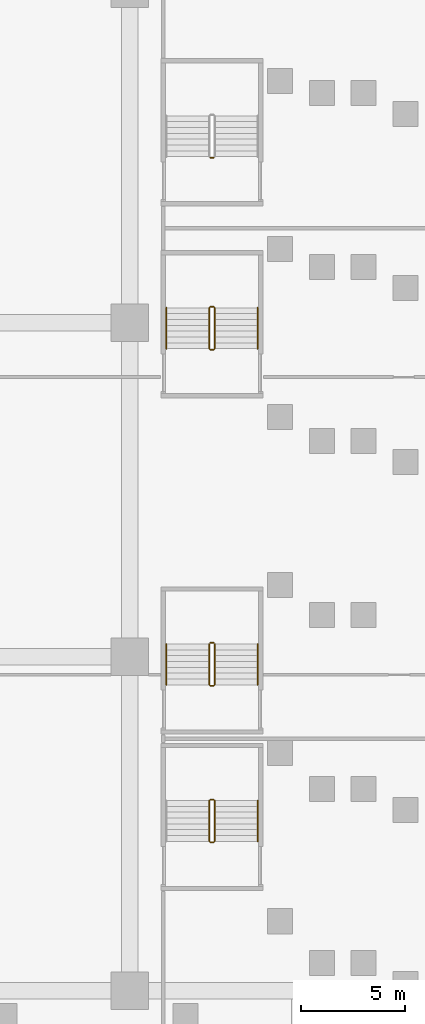
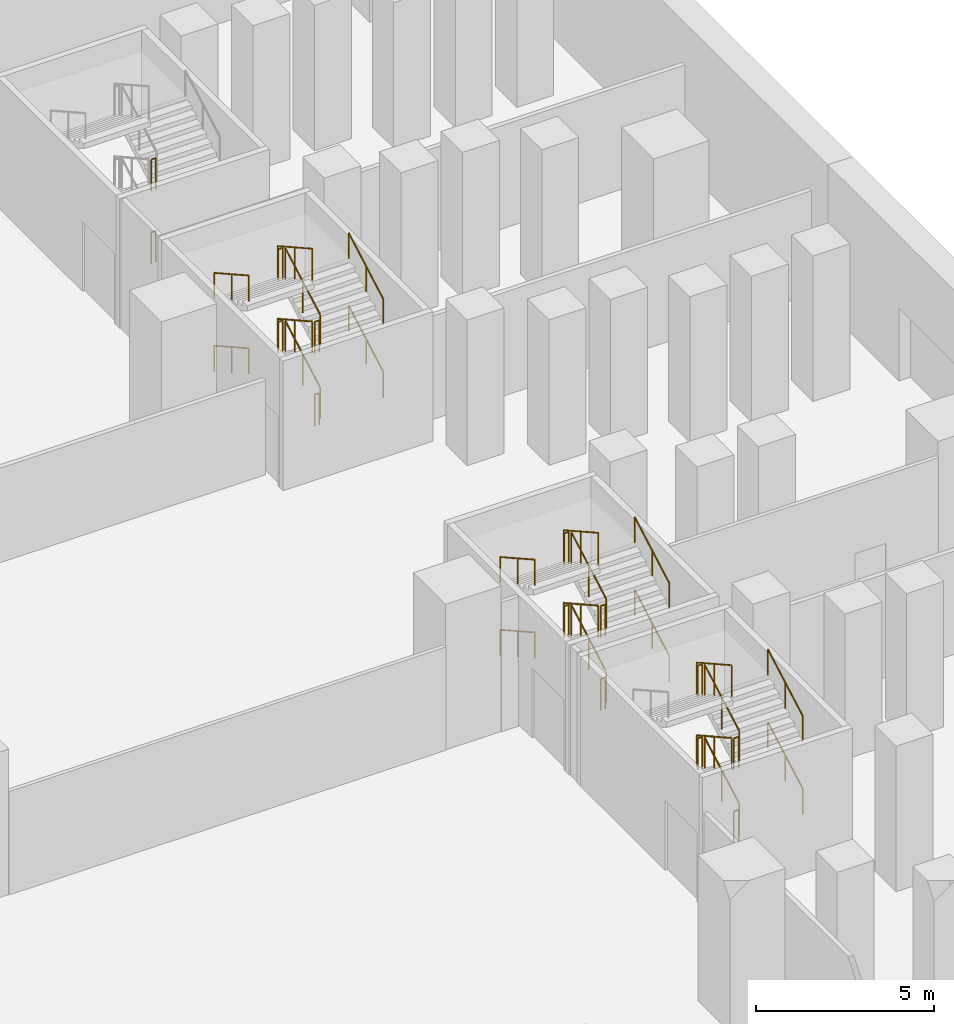
# One storey, part 21 of 24: 36 railings.
"""IFC4 building model written with IfcOpenShell, lengths in metres."""

from ifc_helpers import new_model, si_unit, direction, frame, origin, origin_2d, place, context, subcontext, project, spatial, circle, extrude, material, type_object, element, save


model = new_model("IFC4")

# Units and contexts
model_context = context("Model", 3, precision=1e-05, world=origin(), true_north=direction((0.0, 1.0)))
body_context = subcontext(model_context, "Body", "Model", "MODEL_VIEW")
ifc_project = project(units=[si_unit("LENGTHUNIT", "METRE"), si_unit("AREAUNIT", "SQUARE_METRE"), si_unit("VOLUMEUNIT", "CUBIC_METRE"), si_unit("PLANEANGLEUNIT", "RADIAN"), si_unit("MASSUNIT", "GRAM", prefix="KILO")], contexts=[model_context])

# Site, building, storey
site_placement = place(None, origin())
site = spatial("IfcSite", under=ifc_project, at=site_placement, CompositionType="ELEMENT")
building_placement = place(site_placement, origin())
building = spatial("IfcBuilding", under=site, at=building_placement, Name="Calabash Gate Tower", CompositionType="ELEMENT")
storey_placement = place(building_placement, frame((0.0, 0.0, -5.0)))
storey = spatial("IfcBuildingStorey", under=building, at=storey_placement, Name="B1", CompositionType="ELEMENT", Elevation=-5.0)

# Railings
ifc_material_1 = material(Name="Black powder-coated steel balusters", Category="steel")
railing_type_1 = type_object("IfcRailingType", Name="Stair guard RL1100", PredefinedType="GUARDRAIL", material=ifc_material_1)
railing_1_placement = place(storey_placement, frame((36.06005859375, -32.840087890625, 0.15625)))
element("IfcRailing", 1, at=railing_1_placement, inside=storey, type_object=railing_type_1, Name="B1 PS6 stair guard 1", PredefinedType="GUARDRAIL", context=body_context, shape_type="SweptSolid", body=[
    extrude(circle(Radius=0.02392578125, at=origin_2d()), frame((0.0, 0.0, 1.076171875), z_axis=(0.0, 0.87250601595, 0.488603368932), x_axis=(-1.0, 0.0, 0.0)), (0.0, 0.0, 1.0), 2.238525390625),
    extrude(circle(Radius=0.02099609375, at=origin_2d()), origin(), (0.0, 0.0, 1.0), 1.052001953125),
    extrude(circle(Radius=0.02099609375, at=origin_2d()), frame((0.0, 0.9765625, 0.546875)), (0.0, 0.0, 1.0), 1.052001953125),
    extrude(circle(Radius=0.02099609375, at=origin_2d()), frame((0.0, 1.953125, 1.09375)), (0.0, 0.0, 1.0), 1.052001953125),
])
railing_2_placement = place(storey_placement, frame((36.010009765625, -30.8369140625, 1.25)))
element("IfcRailing", 2, at=railing_2_placement, inside=storey, type_object=railing_type_1, Name="B1 PS6 stair guard 2", PredefinedType="GUARDRAIL", context=body_context, shape_type="SweptSolid", body=[
    extrude(circle(Radius=0.02392578125, at=origin_2d()), frame((0.0, 0.0, 1.076171875), z_axis=(-1.0, 0.0, 0.0), x_axis=(0.0, -1.0, 0.0)), (0.0, 0.0, 1.0), 0.14990234375),
    extrude(circle(Radius=0.02099609375, at=origin_2d()), origin(), (0.0, 0.0, 1.0), 1.052001953125),
    extrude(circle(Radius=0.02099609375, at=origin_2d()), frame((-0.14990234375, 0.0, 0.0)), (0.0, 0.0, 1.0), 1.052001953125),
])
railing_3_placement = place(storey_placement, frame((35.81005859375, -30.886962890625, 1.40625)))
element("IfcRailing", 3, at=railing_3_placement, inside=storey, type_object=railing_type_1, Name="B1 PS6 stair guard 3", PredefinedType="GUARDRAIL", context=body_context, shape_type="SweptSolid", body=[
    extrude(circle(Radius=0.02392578125, at=origin_2d()), frame((0.0, 0.0, 1.076171875), z_axis=(0.0, -0.87250601595, 0.488603368932), x_axis=(1.0, 0.0, 0.0)), (0.0, 0.0, 1.0), 2.238525390625),
    extrude(circle(Radius=0.02099609375, at=origin_2d()), origin(), (0.0, 0.0, 1.0), 1.052001953125),
    extrude(circle(Radius=0.02099609375, at=origin_2d()), frame((0.0, -0.9765625, 0.546875)), (0.0, 0.0, 1.0), 1.052001953125),
    extrude(circle(Radius=0.02099609375, at=origin_2d()), frame((0.0, -1.953125, 1.09375)), (0.0, 0.0, 1.0), 1.052001953125),
])
railing_4_placement = place(storey_placement, frame((36.010009765625, -32.889892578125, 2.5)))
element("IfcRailing", 4, at=railing_4_placement, inside=storey, type_object=railing_type_1, Name="B1 PS6 stair guard 4", PredefinedType="GUARDRAIL", context=body_context, shape_type="SweptSolid", body=[
    extrude(circle(Radius=0.02392578125, at=origin_2d()), frame((0.0, 0.0, 1.076171875), z_axis=(-1.0, 0.0, 0.0), x_axis=(0.0, -1.0, 0.0)), (0.0, 0.0, 1.0), 0.14990234375),
    extrude(circle(Radius=0.02099609375, at=origin_2d()), origin(), (0.0, 0.0, 1.0), 1.052001953125),
    extrude(circle(Radius=0.02099609375, at=origin_2d()), frame((-0.14990234375, 0.0, 0.0)), (0.0, 0.0, 1.0), 1.052001953125),
])
railing_5_placement = place(storey_placement, frame((36.06005859375, -32.840087890625, 2.65625)))
element("IfcRailing", 5, at=railing_5_placement, inside=storey, type_object=railing_type_1, Name="B1 PS6 stair guard 5", PredefinedType="GUARDRAIL", context=body_context, shape_type="SweptSolid", body=[
    extrude(circle(Radius=0.02392578125, at=origin_2d()), frame((0.0, 0.0, 1.076171875), z_axis=(0.0, 0.87250601595, 0.488603368932), x_axis=(-1.0, 0.0, 0.0)), (0.0, 0.0, 1.0), 2.238525390625),
    extrude(circle(Radius=0.02099609375, at=origin_2d()), origin(), (0.0, 0.0, 1.0), 1.052001953125),
    extrude(circle(Radius=0.02099609375, at=origin_2d()), frame((0.0, 0.9765625, 0.546875)), (0.0, 0.0, 1.0), 1.052001953125),
    extrude(circle(Radius=0.02099609375, at=origin_2d()), frame((0.0, 1.953125, 1.09375)), (0.0, 0.0, 1.0), 1.052001953125),
])
railing_6_placement = place(storey_placement, frame((36.010009765625, -30.8369140625, 3.75)))
element("IfcRailing", 6, at=railing_6_placement, inside=storey, type_object=railing_type_1, Name="B1 PS6 stair guard 6", PredefinedType="GUARDRAIL", context=body_context, shape_type="SweptSolid", body=[
    extrude(circle(Radius=0.02392578125, at=origin_2d()), frame((0.0, 0.0, 1.076171875), z_axis=(-1.0, 0.0, 0.0), x_axis=(0.0, -1.0, 0.0)), (0.0, 0.0, 1.0), 0.14990234375),
    extrude(circle(Radius=0.02099609375, at=origin_2d()), origin(), (0.0, 0.0, 1.0), 1.052001953125),
    extrude(circle(Radius=0.02099609375, at=origin_2d()), frame((-0.14990234375, 0.0, 0.0)), (0.0, 0.0, 1.0), 1.052001953125),
])
railing_7_placement = place(storey_placement, frame((35.81005859375, -30.886962890625, 3.90625)))
element("IfcRailing", 7, at=railing_7_placement, inside=storey, type_object=railing_type_1, Name="B1 PS6 stair guard 7", PredefinedType="GUARDRAIL", context=body_context, shape_type="SweptSolid", body=[
    extrude(circle(Radius=0.02392578125, at=origin_2d()), frame((0.0, 0.0, 1.076171875), z_axis=(0.0, -0.87250601595, 0.488603368932), x_axis=(1.0, 0.0, 0.0)), (0.0, 0.0, 1.0), 2.238525390625),
    extrude(circle(Radius=0.02099609375, at=origin_2d()), origin(), (0.0, 0.0, 1.0), 1.052001953125),
    extrude(circle(Radius=0.02099609375, at=origin_2d()), frame((0.0, -0.9765625, 0.546875)), (0.0, 0.0, 1.0), 1.052001953125),
    extrude(circle(Radius=0.02099609375, at=origin_2d()), frame((0.0, -1.953125, 1.09375)), (0.0, 0.0, 1.0), 1.052001953125),
])
railing_8_placement = place(storey_placement, frame((36.010009765625, -32.889892578125, 0.0)))
element("IfcRailing", 8, at=railing_8_placement, inside=storey, type_object=railing_type_1, Name="B1 PS6 stair guard 8", PredefinedType="GUARDRAIL", context=body_context, shape_type="SweptSolid", body=[
    extrude(circle(Radius=0.02392578125, at=origin_2d()), frame((0.0, 0.0, 1.076171875), z_axis=(-1.0, 0.0, 0.0), x_axis=(0.0, -1.0, 0.0)), (0.0, 0.0, 1.0), 0.14990234375),
    extrude(circle(Radius=0.02099609375, at=origin_2d()), origin(), (0.0, 0.0, 1.0), 1.052001953125),
    extrude(circle(Radius=0.02099609375, at=origin_2d()), frame((-0.14990234375, 0.0, 0.0)), (0.0, 0.0, 1.0), 1.052001953125),
])
railing_9_placement = place(storey_placement, frame((36.06005859375, -25.340087890625, 0.15625)))
element("IfcRailing", 9, at=railing_9_placement, inside=storey, type_object=railing_type_1, Name="B1 PS7 stair guard 1", PredefinedType="GUARDRAIL", context=body_context, shape_type="SweptSolid", body=[
    extrude(circle(Radius=0.02392578125, at=origin_2d()), frame((0.0, 0.0, 1.076171875), z_axis=(0.0, 0.87250601595, 0.488603368932), x_axis=(-1.0, 0.0, 0.0)), (0.0, 0.0, 1.0), 2.238525390625),
    extrude(circle(Radius=0.02099609375, at=origin_2d()), origin(), (0.0, 0.0, 1.0), 1.052001953125),
    extrude(circle(Radius=0.02099609375, at=origin_2d()), frame((0.0, 0.9765625, 0.546875)), (0.0, 0.0, 1.0), 1.052001953125),
    extrude(circle(Radius=0.02099609375, at=origin_2d()), frame((0.0, 1.953125, 1.09375)), (0.0, 0.0, 1.0), 1.052001953125),
])
railing_10_placement = place(storey_placement, frame((36.010009765625, -23.3369140625, 1.25)))
element("IfcRailing", 10, at=railing_10_placement, inside=storey, type_object=railing_type_1, Name="B1 PS7 stair guard 2", PredefinedType="GUARDRAIL", context=body_context, shape_type="SweptSolid", body=[
    extrude(circle(Radius=0.02392578125, at=origin_2d()), frame((0.0, 0.0, 1.076171875), z_axis=(-1.0, 0.0, 0.0), x_axis=(0.0, -1.0, 0.0)), (0.0, 0.0, 1.0), 0.14990234375),
    extrude(circle(Radius=0.02099609375, at=origin_2d()), origin(), (0.0, 0.0, 1.0), 1.052001953125),
    extrude(circle(Radius=0.02099609375, at=origin_2d()), frame((-0.14990234375, 0.0, 0.0)), (0.0, 0.0, 1.0), 1.052001953125),
])
railing_11_placement = place(storey_placement, frame((35.81005859375, -23.386962890625, 1.40625)))
element("IfcRailing", 11, at=railing_11_placement, inside=storey, type_object=railing_type_1, Name="B1 PS7 stair guard 3", PredefinedType="GUARDRAIL", context=body_context, shape_type="SweptSolid", body=[
    extrude(circle(Radius=0.02392578125, at=origin_2d()), frame((0.0, 0.0, 1.076171875), z_axis=(0.0, -0.87250601595, 0.488603368932), x_axis=(1.0, 0.0, 0.0)), (0.0, 0.0, 1.0), 2.238525390625),
    extrude(circle(Radius=0.02099609375, at=origin_2d()), origin(), (0.0, 0.0, 1.0), 1.052001953125),
    extrude(circle(Radius=0.02099609375, at=origin_2d()), frame((0.0, -0.9765625, 0.546875)), (0.0, 0.0, 1.0), 1.052001953125),
    extrude(circle(Radius=0.02099609375, at=origin_2d()), frame((0.0, -1.953125, 1.09375)), (0.0, 0.0, 1.0), 1.052001953125),
])
railing_12_placement = place(storey_placement, frame((36.010009765625, -25.389892578125, 2.5)))
element("IfcRailing", 12, at=railing_12_placement, inside=storey, type_object=railing_type_1, Name="B1 PS7 stair guard 4", PredefinedType="GUARDRAIL", context=body_context, shape_type="SweptSolid", body=[
    extrude(circle(Radius=0.02392578125, at=origin_2d()), frame((0.0, 0.0, 1.076171875), z_axis=(-1.0, 0.0, 0.0), x_axis=(0.0, -1.0, 0.0)), (0.0, 0.0, 1.0), 0.14990234375),
    extrude(circle(Radius=0.02099609375, at=origin_2d()), origin(), (0.0, 0.0, 1.0), 1.052001953125),
    extrude(circle(Radius=0.02099609375, at=origin_2d()), frame((-0.14990234375, 0.0, 0.0)), (0.0, 0.0, 1.0), 1.052001953125),
])
railing_13_placement = place(storey_placement, frame((36.06005859375, -25.340087890625, 2.65625)))
element("IfcRailing", 13, at=railing_13_placement, inside=storey, type_object=railing_type_1, Name="B1 PS7 stair guard 5", PredefinedType="GUARDRAIL", context=body_context, shape_type="SweptSolid", body=[
    extrude(circle(Radius=0.02392578125, at=origin_2d()), frame((0.0, 0.0, 1.076171875), z_axis=(0.0, 0.87250601595, 0.488603368932), x_axis=(-1.0, 0.0, 0.0)), (0.0, 0.0, 1.0), 2.238525390625),
    extrude(circle(Radius=0.02099609375, at=origin_2d()), origin(), (0.0, 0.0, 1.0), 1.052001953125),
    extrude(circle(Radius=0.02099609375, at=origin_2d()), frame((0.0, 0.9765625, 0.546875)), (0.0, 0.0, 1.0), 1.052001953125),
    extrude(circle(Radius=0.02099609375, at=origin_2d()), frame((0.0, 1.953125, 1.09375)), (0.0, 0.0, 1.0), 1.052001953125),
])
railing_14_placement = place(storey_placement, frame((36.010009765625, -23.3369140625, 3.75)))
element("IfcRailing", 14, at=railing_14_placement, inside=storey, type_object=railing_type_1, Name="B1 PS7 stair guard 6", PredefinedType="GUARDRAIL", context=body_context, shape_type="SweptSolid", body=[
    extrude(circle(Radius=0.02392578125, at=origin_2d()), frame((0.0, 0.0, 1.076171875), z_axis=(-1.0, 0.0, 0.0), x_axis=(0.0, -1.0, 0.0)), (0.0, 0.0, 1.0), 0.14990234375),
    extrude(circle(Radius=0.02099609375, at=origin_2d()), origin(), (0.0, 0.0, 1.0), 1.052001953125),
    extrude(circle(Radius=0.02099609375, at=origin_2d()), frame((-0.14990234375, 0.0, 0.0)), (0.0, 0.0, 1.0), 1.052001953125),
])
railing_15_placement = place(storey_placement, frame((35.81005859375, -23.386962890625, 3.90625)))
element("IfcRailing", 15, at=railing_15_placement, inside=storey, type_object=railing_type_1, Name="B1 PS7 stair guard 7", PredefinedType="GUARDRAIL", context=body_context, shape_type="SweptSolid", body=[
    extrude(circle(Radius=0.02392578125, at=origin_2d()), frame((0.0, 0.0, 1.076171875), z_axis=(0.0, -0.87250601595, 0.488603368932), x_axis=(1.0, 0.0, 0.0)), (0.0, 0.0, 1.0), 2.238525390625),
    extrude(circle(Radius=0.02099609375, at=origin_2d()), origin(), (0.0, 0.0, 1.0), 1.052001953125),
    extrude(circle(Radius=0.02099609375, at=origin_2d()), frame((0.0, -0.9765625, 0.546875)), (0.0, 0.0, 1.0), 1.052001953125),
    extrude(circle(Radius=0.02099609375, at=origin_2d()), frame((0.0, -1.953125, 1.09375)), (0.0, 0.0, 1.0), 1.052001953125),
])
railing_16_placement = place(storey_placement, frame((36.010009765625, -25.389892578125, 0.0)))
element("IfcRailing", 16, at=railing_16_placement, inside=storey, type_object=railing_type_1, Name="B1 PS7 stair guard 8", PredefinedType="GUARDRAIL", context=body_context, shape_type="SweptSolid", body=[
    extrude(circle(Radius=0.02392578125, at=origin_2d()), frame((0.0, 0.0, 1.076171875), z_axis=(-1.0, 0.0, 0.0), x_axis=(0.0, -1.0, 0.0)), (0.0, 0.0, 1.0), 0.14990234375),
    extrude(circle(Radius=0.02099609375, at=origin_2d()), origin(), (0.0, 0.0, 1.0), 1.052001953125),
    extrude(circle(Radius=0.02099609375, at=origin_2d()), frame((-0.14990234375, 0.0, 0.0)), (0.0, 0.0, 1.0), 1.052001953125),
])
railing_17_placement = place(storey_placement, frame((36.06005859375, -9.239990234375, 0.15625)))
element("IfcRailing", 17, at=railing_17_placement, inside=storey, type_object=railing_type_1, Name="B1 PS8 stair guard 1", PredefinedType="GUARDRAIL", context=body_context, shape_type="SweptSolid", body=[
    extrude(circle(Radius=0.02392578125, at=origin_2d()), frame((0.0, 0.0, 1.076171875), z_axis=(0.0, 0.872479975208, 0.48864986735), x_axis=(-1.0, 0.0, 0.0)), (0.0, 0.0, 1.0), 2.23828125),
    extrude(circle(Radius=0.02099609375, at=origin_2d()), origin(), (0.0, 0.0, 1.0), 1.052001953125),
    extrude(circle(Radius=0.02099609375, at=origin_2d()), frame((0.0, 0.9765625, 0.546875)), (0.0, 0.0, 1.0), 1.052001953125),
    extrude(circle(Radius=0.02099609375, at=origin_2d()), frame((0.0, 1.952880859375, 1.09375)), (0.0, 0.0, 1.0), 1.052001953125),
])
railing_18_placement = place(storey_placement, frame((36.010009765625, -7.237060546875, 1.25)))
element("IfcRailing", 18, at=railing_18_placement, inside=storey, type_object=railing_type_1, Name="B1 PS8 stair guard 2", PredefinedType="GUARDRAIL", context=body_context, shape_type="SweptSolid", body=[
    extrude(circle(Radius=0.02392578125, at=origin_2d()), frame((0.0, 0.0, 1.076171875), z_axis=(-1.0, 0.0, 0.0), x_axis=(0.0, -1.0, 0.0)), (0.0, 0.0, 1.0), 0.14990234375),
    extrude(circle(Radius=0.02099609375, at=origin_2d()), origin(), (0.0, 0.0, 1.0), 1.052001953125),
    extrude(circle(Radius=0.02099609375, at=origin_2d()), frame((-0.14990234375, 0.0, 0.0)), (0.0, 0.0, 1.0), 1.052001953125),
])
railing_19_placement = place(storey_placement, frame((35.81005859375, -7.287109375, 1.40625)))
element("IfcRailing", 19, at=railing_19_placement, inside=storey, type_object=railing_type_1, Name="B1 PS8 stair guard 3", PredefinedType="GUARDRAIL", context=body_context, shape_type="SweptSolid", body=[
    extrude(circle(Radius=0.02392578125, at=origin_2d()), frame((0.0, 0.0, 1.076171875), z_axis=(0.0, -0.872479975208, 0.48864986735), x_axis=(1.0, 0.0, 0.0)), (0.0, 0.0, 1.0), 2.23828125),
    extrude(circle(Radius=0.02099609375, at=origin_2d()), origin(), (0.0, 0.0, 1.0), 1.052001953125),
    extrude(circle(Radius=0.02099609375, at=origin_2d()), frame((0.0, -0.9765625, 0.546875)), (0.0, 0.0, 1.0), 1.052001953125),
    extrude(circle(Radius=0.02099609375, at=origin_2d()), frame((0.0, -1.952880859375, 1.09375)), (0.0, 0.0, 1.0), 1.052001953125),
])
railing_20_placement = place(storey_placement, frame((36.010009765625, -9.2900390625, 2.5)))
element("IfcRailing", 20, at=railing_20_placement, inside=storey, type_object=railing_type_1, Name="B1 PS8 stair guard 4", PredefinedType="GUARDRAIL", context=body_context, shape_type="SweptSolid", body=[
    extrude(circle(Radius=0.02392578125, at=origin_2d()), frame((0.0, 0.0, 1.076171875), z_axis=(-1.0, 0.0, 0.0), x_axis=(0.0, -1.0, 0.0)), (0.0, 0.0, 1.0), 0.14990234375),
    extrude(circle(Radius=0.02099609375, at=origin_2d()), origin(), (0.0, 0.0, 1.0), 1.052001953125),
    extrude(circle(Radius=0.02099609375, at=origin_2d()), frame((-0.14990234375, 0.0, 0.0)), (0.0, 0.0, 1.0), 1.052001953125),
])
railing_21_placement = place(storey_placement, frame((36.06005859375, -9.239990234375, 2.65625)))
element("IfcRailing", 21, at=railing_21_placement, inside=storey, type_object=railing_type_1, Name="B1 PS8 stair guard 5", PredefinedType="GUARDRAIL", context=body_context, shape_type="SweptSolid", body=[
    extrude(circle(Radius=0.02392578125, at=origin_2d()), frame((0.0, 0.0, 1.076171875), z_axis=(0.0, 0.872479975208, 0.48864986735), x_axis=(-1.0, 0.0, 0.0)), (0.0, 0.0, 1.0), 2.23828125),
    extrude(circle(Radius=0.02099609375, at=origin_2d()), origin(), (0.0, 0.0, 1.0), 1.052001953125),
    extrude(circle(Radius=0.02099609375, at=origin_2d()), frame((0.0, 0.9765625, 0.546875)), (0.0, 0.0, 1.0), 1.052001953125),
    extrude(circle(Radius=0.02099609375, at=origin_2d()), frame((0.0, 1.952880859375, 1.09375)), (0.0, 0.0, 1.0), 1.052001953125),
])
railing_22_placement = place(storey_placement, frame((36.010009765625, -7.237060546875, 3.75)))
element("IfcRailing", 22, at=railing_22_placement, inside=storey, type_object=railing_type_1, Name="B1 PS8 stair guard 6", PredefinedType="GUARDRAIL", context=body_context, shape_type="SweptSolid", body=[
    extrude(circle(Radius=0.02392578125, at=origin_2d()), frame((0.0, 0.0, 1.076171875), z_axis=(-1.0, 0.0, 0.0), x_axis=(0.0, -1.0, 0.0)), (0.0, 0.0, 1.0), 0.14990234375),
    extrude(circle(Radius=0.02099609375, at=origin_2d()), origin(), (0.0, 0.0, 1.0), 1.052001953125),
    extrude(circle(Radius=0.02099609375, at=origin_2d()), frame((-0.14990234375, 0.0, 0.0)), (0.0, 0.0, 1.0), 1.052001953125),
])
railing_23_placement = place(storey_placement, frame((35.81005859375, -7.287109375, 3.90625)))
element("IfcRailing", 23, at=railing_23_placement, inside=storey, type_object=railing_type_1, Name="B1 PS8 stair guard 7", PredefinedType="GUARDRAIL", context=body_context, shape_type="SweptSolid", body=[
    extrude(circle(Radius=0.02392578125, at=origin_2d()), frame((0.0, 0.0, 1.076171875), z_axis=(0.0, -0.872479975208, 0.48864986735), x_axis=(1.0, 0.0, 0.0)), (0.0, 0.0, 1.0), 2.23828125),
    extrude(circle(Radius=0.02099609375, at=origin_2d()), origin(), (0.0, 0.0, 1.0), 1.052001953125),
    extrude(circle(Radius=0.02099609375, at=origin_2d()), frame((0.0, -0.9765625, 0.546875)), (0.0, 0.0, 1.0), 1.052001953125),
    extrude(circle(Radius=0.02099609375, at=origin_2d()), frame((0.0, -1.952880859375, 1.09375)), (0.0, 0.0, 1.0), 1.052001953125),
])
for number, where, name in (
    (24, (36.010009765625, -9.2900390625, 0.0), "B1 PS8 stair guard 8"),
    (25, (36.010009765625, -0.090087890625, 2.5), "B1 PS9 stair guard 4"),
    (26, (36.010009765625, -0.090087890625, 0.0), "B1 PS9 stair guard 8"),
):
    element("IfcRailing", number, at=place(storey_placement, frame(where)), inside=storey, type_object=railing_type_1, Name=name, PredefinedType="GUARDRAIL", context=body_context, shape_type="SweptSolid", body=[
        extrude(circle(Radius=0.02392578125, at=origin_2d()), frame((0.0, 0.0, 1.076171875), z_axis=(-1.0, 0.0, 0.0), x_axis=(0.0, -1.0, 0.0)), (0.0, 0.0, 1.0), 0.14990234375),
        extrude(circle(Radius=0.02099609375, at=origin_2d()), origin(), (0.0, 0.0, 1.0), 1.052001953125),
        extrude(circle(Radius=0.02099609375, at=origin_2d()), frame((-0.14990234375, 0.0, 0.0)), (0.0, 0.0, 1.0), 1.052001953125),
    ])
ifc_material_2 = material(Name="Black powder-coated steel tube 48 mm", Category="steel")
railing_type_2 = type_object("IfcRailingType", Name="Stair handrail RL900", PredefinedType="HANDRAIL", material=ifc_material_2)
for number, where, name in (
    (27, (38.1201171875, -32.840087890625, 0.15625), "B1 PS6 stair handrail 1"),
    (28, (38.1201171875, -32.840087890625, 2.65625), "B1 PS6 stair handrail 3"),
    (29, (38.1201171875, -25.340087890625, 0.15625), "B1 PS7 stair handrail 1"),
):
    element("IfcRailing", number, at=place(storey_placement, frame(where)), inside=storey, type_object=railing_type_2, Name=name, PredefinedType="HANDRAIL", context=body_context, shape_type="SweptSolid", body=[
        extrude(circle(Radius=0.02392578125, at=origin_2d()), frame((0.0, 0.0, 0.8759765625), z_axis=(0.0, 0.87250601595, 0.488603368932), x_axis=(-1.0, 0.0, 0.0)), (0.0, 0.0, 1.0), 2.238525390625),
        extrude(circle(Radius=0.02099609375, at=origin_2d()), origin(), (0.0, 0.0, 1.0), 0.851806640625),
        extrude(circle(Radius=0.02099609375, at=origin_2d()), frame((0.0, 0.9765625, 0.546875)), (0.0, 0.0, 1.0), 0.851806640625),
        extrude(circle(Radius=0.02099609375, at=origin_2d()), frame((0.0, 1.953125, 1.09375)), (0.0, 0.0, 1.0), 0.851806640625),
    ])
railing_24_placement = place(storey_placement, frame((33.75, -23.386962890625, 1.40625)))
element("IfcRailing", 30, at=railing_24_placement, inside=storey, type_object=railing_type_2, Name="B1 PS7 stair handrail 2", PredefinedType="HANDRAIL", context=body_context, shape_type="SweptSolid", body=[
    extrude(circle(Radius=0.02392578125, at=origin_2d()), frame((0.0, 0.0, 0.8759765625), z_axis=(0.0, -0.87250601595, 0.488603368932), x_axis=(1.0, 0.0, 0.0)), (0.0, 0.0, 1.0), 2.238525390625),
    extrude(circle(Radius=0.02099609375, at=origin_2d()), origin(), (0.0, 0.0, 1.0), 0.851806640625),
    extrude(circle(Radius=0.02099609375, at=origin_2d()), frame((0.0, -0.9765625, 0.546875)), (0.0, 0.0, 1.0), 0.851806640625),
    extrude(circle(Radius=0.02099609375, at=origin_2d()), frame((0.0, -1.953125, 1.09375)), (0.0, 0.0, 1.0), 0.851806640625),
])
railing_25_placement = place(storey_placement, frame((38.1201171875, -25.340087890625, 2.65625)))
element("IfcRailing", 31, at=railing_25_placement, inside=storey, type_object=railing_type_2, Name="B1 PS7 stair handrail 3", PredefinedType="HANDRAIL", context=body_context, shape_type="SweptSolid", body=[
    extrude(circle(Radius=0.02392578125, at=origin_2d()), frame((0.0, 0.0, 0.8759765625), z_axis=(0.0, 0.87250601595, 0.488603368932), x_axis=(-1.0, 0.0, 0.0)), (0.0, 0.0, 1.0), 2.238525390625),
    extrude(circle(Radius=0.02099609375, at=origin_2d()), origin(), (0.0, 0.0, 1.0), 0.851806640625),
    extrude(circle(Radius=0.02099609375, at=origin_2d()), frame((0.0, 0.9765625, 0.546875)), (0.0, 0.0, 1.0), 0.851806640625),
    extrude(circle(Radius=0.02099609375, at=origin_2d()), frame((0.0, 1.953125, 1.09375)), (0.0, 0.0, 1.0), 0.851806640625),
])
railing_26_placement = place(storey_placement, frame((33.75, -23.386962890625, 3.90625)))
element("IfcRailing", 32, at=railing_26_placement, inside=storey, type_object=railing_type_2, Name="B1 PS7 stair handrail 4", PredefinedType="HANDRAIL", context=body_context, shape_type="SweptSolid", body=[
    extrude(circle(Radius=0.02392578125, at=origin_2d()), frame((0.0, 0.0, 0.8759765625), z_axis=(0.0, -0.87250601595, 0.488603368932), x_axis=(1.0, 0.0, 0.0)), (0.0, 0.0, 1.0), 2.238525390625),
    extrude(circle(Radius=0.02099609375, at=origin_2d()), origin(), (0.0, 0.0, 1.0), 0.851806640625),
    extrude(circle(Radius=0.02099609375, at=origin_2d()), frame((0.0, -0.9765625, 0.546875)), (0.0, 0.0, 1.0), 0.851806640625),
    extrude(circle(Radius=0.02099609375, at=origin_2d()), frame((0.0, -1.953125, 1.09375)), (0.0, 0.0, 1.0), 0.851806640625),
])
railing_27_placement = place(storey_placement, frame((38.1201171875, -9.239990234375, 0.15625)))
element("IfcRailing", 33, at=railing_27_placement, inside=storey, type_object=railing_type_2, Name="B1 PS8 stair handrail 1", PredefinedType="HANDRAIL", context=body_context, shape_type="SweptSolid", body=[
    extrude(circle(Radius=0.02392578125, at=origin_2d()), frame((0.0, 0.0, 0.8759765625), z_axis=(0.0, 0.872479975208, 0.48864986735), x_axis=(-1.0, 0.0, 0.0)), (0.0, 0.0, 1.0), 2.23828125),
    extrude(circle(Radius=0.02099609375, at=origin_2d()), origin(), (0.0, 0.0, 1.0), 0.851806640625),
    extrude(circle(Radius=0.02099609375, at=origin_2d()), frame((0.0, 0.9765625, 0.546875)), (0.0, 0.0, 1.0), 0.851806640625),
    extrude(circle(Radius=0.02099609375, at=origin_2d()), frame((0.0, 1.952880859375, 1.09375)), (0.0, 0.0, 1.0), 0.851806640625),
])
railing_28_placement = place(storey_placement, frame((33.75, -7.287109375, 1.40625)))
element("IfcRailing", 34, at=railing_28_placement, inside=storey, type_object=railing_type_2, Name="B1 PS8 stair handrail 2", PredefinedType="HANDRAIL", context=body_context, shape_type="SweptSolid", body=[
    extrude(circle(Radius=0.02392578125, at=origin_2d()), frame((0.0, 0.0, 0.8759765625), z_axis=(0.0, -0.872479975208, 0.48864986735), x_axis=(1.0, 0.0, 0.0)), (0.0, 0.0, 1.0), 2.23828125),
    extrude(circle(Radius=0.02099609375, at=origin_2d()), origin(), (0.0, 0.0, 1.0), 0.851806640625),
    extrude(circle(Radius=0.02099609375, at=origin_2d()), frame((0.0, -0.9765625, 0.546875)), (0.0, 0.0, 1.0), 0.851806640625),
    extrude(circle(Radius=0.02099609375, at=origin_2d()), frame((0.0, -1.952880859375, 1.09375)), (0.0, 0.0, 1.0), 0.851806640625),
])
railing_29_placement = place(storey_placement, frame((38.1201171875, -9.239990234375, 2.65625)))
element("IfcRailing", 35, at=railing_29_placement, inside=storey, type_object=railing_type_2, Name="B1 PS8 stair handrail 3", PredefinedType="HANDRAIL", context=body_context, shape_type="SweptSolid", body=[
    extrude(circle(Radius=0.02392578125, at=origin_2d()), frame((0.0, 0.0, 0.8759765625), z_axis=(0.0, 0.872479975208, 0.48864986735), x_axis=(-1.0, 0.0, 0.0)), (0.0, 0.0, 1.0), 2.23828125),
    extrude(circle(Radius=0.02099609375, at=origin_2d()), origin(), (0.0, 0.0, 1.0), 0.851806640625),
    extrude(circle(Radius=0.02099609375, at=origin_2d()), frame((0.0, 0.9765625, 0.546875)), (0.0, 0.0, 1.0), 0.851806640625),
    extrude(circle(Radius=0.02099609375, at=origin_2d()), frame((0.0, 1.952880859375, 1.09375)), (0.0, 0.0, 1.0), 0.851806640625),
])
railing_30_placement = place(storey_placement, frame((33.75, -7.287109375, 3.90625)))
element("IfcRailing", 36, at=railing_30_placement, inside=storey, type_object=railing_type_2, Name="B1 PS8 stair handrail 4", PredefinedType="HANDRAIL", context=body_context, shape_type="SweptSolid", body=[
    extrude(circle(Radius=0.02392578125, at=origin_2d()), frame((0.0, 0.0, 0.8759765625), z_axis=(0.0, -0.872479975208, 0.48864986735), x_axis=(1.0, 0.0, 0.0)), (0.0, 0.0, 1.0), 2.23828125),
    extrude(circle(Radius=0.02099609375, at=origin_2d()), origin(), (0.0, 0.0, 1.0), 0.851806640625),
    extrude(circle(Radius=0.02099609375, at=origin_2d()), frame((0.0, -0.9765625, 0.546875)), (0.0, 0.0, 1.0), 0.851806640625),
    extrude(circle(Radius=0.02099609375, at=origin_2d()), frame((0.0, -1.952880859375, 1.09375)), (0.0, 0.0, 1.0), 0.851806640625),
])

save(model, "model.ifc")
